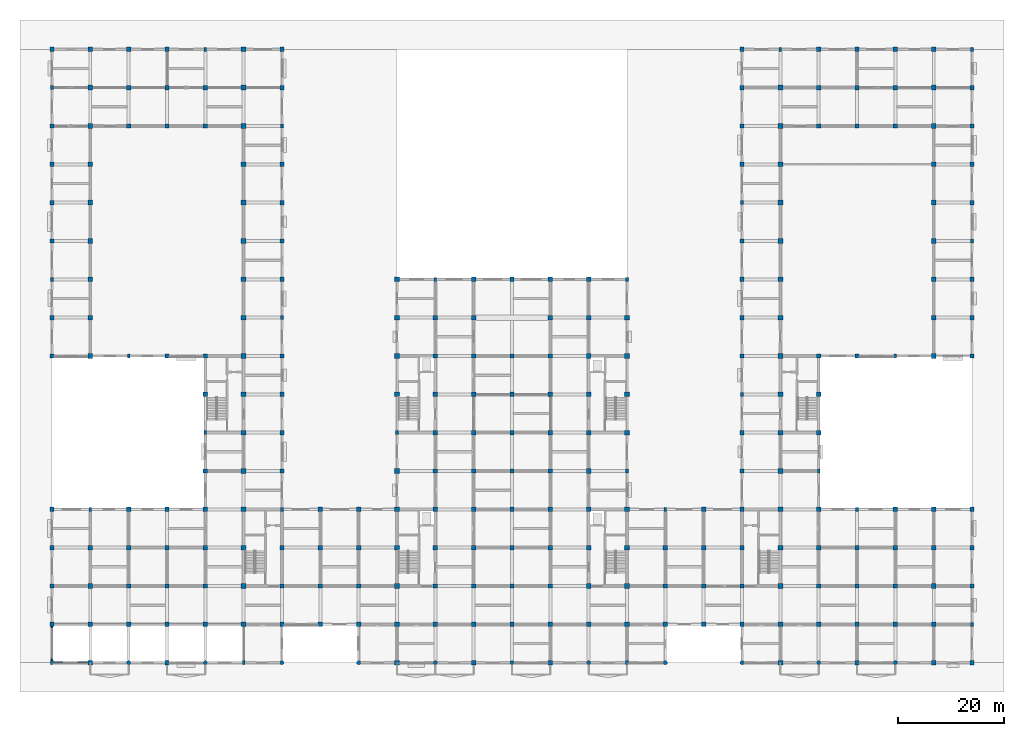
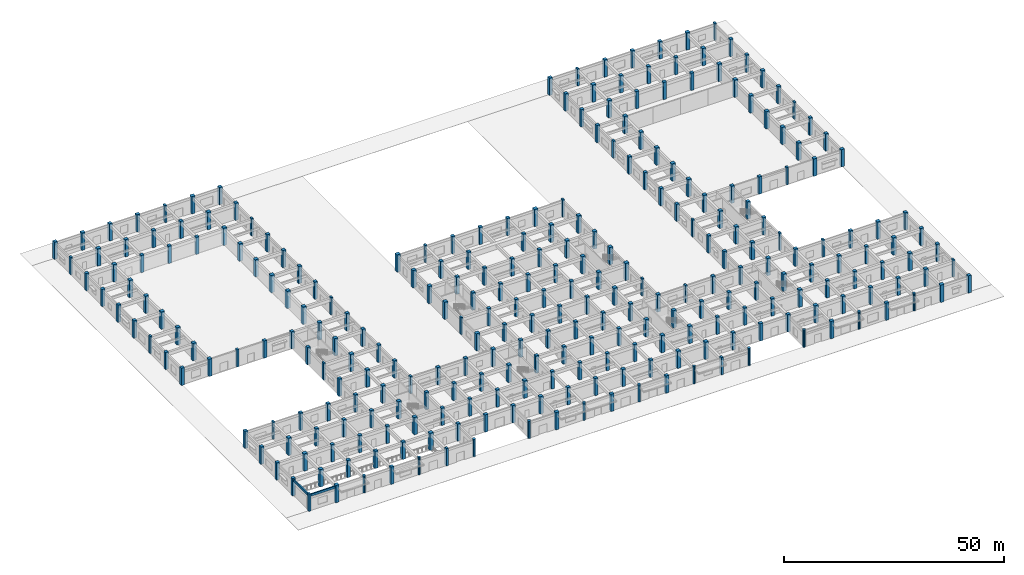
# One storey, part 1 of 37: 278 columns, 2 beams.
"""IFC4 building model written with IfcOpenShell, lengths in metres."""

from ifc_helpers import new_model, si_unit, direction, frame, origin, origin_2d, place, context, subcontext, project, spatial, rectangle, circle, extrude, material, material_profile, profile_set, type_object, element, save


model = new_model("IFC4")

# Units and contexts
model_context = context("Model", 3, precision=1e-05, world=origin(), true_north=direction((0.0, 1.0)))
body_context = subcontext(model_context, "Body", "Model", "MODEL_VIEW")
ifc_project = project(units=[si_unit("LENGTHUNIT", "METRE"), si_unit("AREAUNIT", "SQUARE_METRE"), si_unit("VOLUMEUNIT", "CUBIC_METRE"), si_unit("PLANEANGLEUNIT", "RADIAN"), si_unit("MASSUNIT", "GRAM", prefix="KILO")], contexts=[model_context])

# Site, building, storey
site_placement = place(None, origin())
site = spatial("IfcSite", under=ifc_project, at=site_placement, CompositionType="ELEMENT")
building_placement = place(site_placement, origin())
building = spatial("IfcBuilding", under=site, at=building_placement, Name="Cendaluz Park School", CompositionType="ELEMENT")
storey_placement = place(building_placement, origin())
storey = spatial("IfcBuildingStorey", under=building, at=storey_placement, Name="L00", CompositionType="ELEMENT", Elevation=0.0)

# Columns
ifc_material = material(Name="Concrete C40/50", Category="concrete")
ifc_material_profile_1 = material_profile(ifc_material, rectangle(XDim=0.5, YDim=0.75, at=origin_2d()), Name="RC 500x750", Category="concrete")
ifc_profile_set_1 = profile_set([ifc_material_profile_1], Name="Concrete C40/50")
column_type_1 = type_object("IfcColumnType", Name="C-PL01", PredefinedType="PILASTER", material=ifc_profile_set_1)
for number, where, z_axis, x_axis, name in (
    (1, (0.0, 0.0, 0.0), (0.0, 0.0, 1.0), (1.0, 0.0, 0.0), "C-L00-CPL01-001"),
    (2, (0.0, 72.0, 0.0), (0.0, 0.0, 1.0), (1.0, 0.0, 0.0), "C-L00-CPL01-008"),
    (3, (0.0, 108.0, 0.0), (0.0, 0.0, 1.0), (1.0, 0.0, 0.0), "C-L00-CPL01-013"),
    (4, (7.199951171875, 28.800048828125, 0.0), (0.0, 0.0, 1.0), (1.0, 0.0, 0.0), "C-L00-CPL01-019"),
    (5, (14.39990234375, 57.60009765625, 0.0), (0.0, 0.0, 1.0), (1.0, 0.0, 0.0), "C-L00-CPL01-034"),
    (6, (28.800048828125, 43.199951171875, 0.0), (0.0, 0.0, 1.0), (1.0, 0.0, 0.0), "C-L00-CPL01-053"),
    (7, (28.800048828125, 115.199951171875, 0.0), (0.0, 0.0, 1.0), (1.0, 0.0, 0.0), "C-L00-CPL01-058"),
    (8, (36.0, 0.0, 0.0), (0.0, 0.0, 1.0), (1.0, 0.0, 0.0), "C-L00-CPL01-059"),
    (9, (43.199951171875, 28.800048828125, 0.0), (0.0, 0.0, 1.0), (1.0, 0.0, 0.0), "C-L00-CPL01-080"),
    (10, (43.199951171875, 64.800048828125, 0.0), (0.0, 0.0, 1.0), (1.0, 0.0, 0.0), "C-L00-CPL01-085"),
    (11, (43.199951171875, 100.800048828125, 0.0), (0.0, 0.0, 1.0), (1.0, 0.0, 0.0), "C-L00-CPL01-090"),
    (12, (64.800048828125, 43.199951171875, 0.0), (0.0, 0.0, 1.0), (1.0, 0.0, 0.0), "C-L00-CPL01-108"),
    (13, (72.0, 72.0, 0.0), (0.0, 0.0, 1.0), (1.0, 0.0, 0.0), "C-L00-CPL01-123"),
    (14, (108.0, 0.0, 0.0), (0.0, 0.0, 1.0), (1.0, 0.0, 0.0), "C-L00-CPL01-167"),
    (15, (108.0, 36.0, 0.0), (0.0, 0.0, 1.0), (1.0, 0.0, 0.0), "C-L00-CPL01-172"),
    (16, (108.0, 72.0, 0.0), (0.0, 0.0, 1.0), (1.0, 0.0, 0.0), "C-L00-CPL01-177"),
    (17, (115.199951171875, 28.800048828125, 0.0), (0.0, 0.0, 1.0), (1.0, 0.0, 0.0), "C-L00-CPL01-182"),
    (18, (129.60009765625, 50.39990234375, 0.0), (0.0, 0.0, 1.0), (1.0, 0.0, 0.0), "C-L00-CPL01-194"),
    (19, (129.60009765625, 86.39990234375, 0.0), (0.0, 0.0, 1.0), (1.0, 0.0, 0.0), "C-L00-CPL01-199"),
    (20, (136.800048828125, 115.199951171875, 0.0), (0.0, 0.0, 1.0), (1.0, 0.0, 0.0), "C-L00-CPL01-220"),
    (21, (144.0, 36.0, 0.0), (0.0, 0.0, 1.0), (1.0, 0.0, 0.0), "C-L00-CPL01-226"),
    (22, (151.199951171875, 28.800048828125, 0.0), (0.0, 0.0, 1.0), (1.0, 0.0, 0.0), "C-L00-CPL01-237"),
    (23, (158.39990234375, 57.60009765625, 0.0), (0.0, 0.0, 1.0), (1.0, 0.0, 0.0), "C-L00-CPL01-247"),
    (24, (172.800048828125, 7.199951171875, 0.0), (0.0, 0.0, 1.0), (1.0, 0.0, 0.0), "C-L00-CPL01-266"),
    (25, (172.800048828125, 79.199951171875, 0.0), (0.0, 0.0, 1.0), (1.0, 0.0, 0.0), "C-L00-CPL01-273"),
    (26, (172.800048828125, 115.199951171875, 0.0), (0.0, 0.0, 1.0), (1.0, 0.0, 0.0), "C-L00-CPL01-278"),
):
    element("IfcColumn", number, at=place(storey_placement, frame(where, z_axis=z_axis, x_axis=x_axis)), inside=storey, type_object=column_type_1, Name=name, PredefinedType="PILASTER", context=body_context, shape_type="SweptSolid", body=[
        extrude(rectangle(XDim=0.5, YDim=0.75, at=origin_2d()), origin(), (0.0, 0.0, 1.0), 4.800048828125),
    ])
ifc_material_profile_2 = material_profile(ifc_material, rectangle(XDim=0.89990234375, YDim=0.89990234375, at=origin_2d()), Name="RC 900x900", Category="concrete")
ifc_profile_set_2 = profile_set([ifc_material_profile_2], Name="Concrete C40/50")
column_type_2 = type_object("IfcColumnType", Name="C-RC01", PredefinedType="COLUMN", material=ifc_profile_set_2)
for number, where, z_axis, x_axis, name in (
    (27, (7.199951171875, 0.0, 0.0), (0.0, 0.0, 1.0), (1.0, 0.0, 0.0), "C-L00-CRC01-015"),
    (28, (7.199951171875, 7.199951171875, 0.0), (0.0, 0.0, 1.0), (1.0, 0.0, 0.0), "C-L00-CRC01-016"),
    (29, (7.199951171875, 14.39990234375, 0.0), (0.0, 0.0, 1.0), (1.0, 0.0, 0.0), "C-L00-CRC01-017"),
    (30, (7.199951171875, 21.60009765625, 0.0), (0.0, 0.0, 1.0), (1.0, 0.0, 0.0), "C-L00-CRC01-018"),
    (31, (7.199951171875, 57.60009765625, 0.0), (0.0, 0.0, 1.0), (1.0, 0.0, 0.0), "C-L00-CRC01-020"),
    (32, (7.199951171875, 64.800048828125, 0.0), (0.0, 0.0, 1.0), (1.0, 0.0, 0.0), "C-L00-CRC01-021"),
    (33, (7.199951171875, 72.0, 0.0), (0.0, 0.0, 1.0), (1.0, 0.0, 0.0), "C-L00-CRC01-022"),
    (34, (7.199951171875, 79.199951171875, 0.0), (0.0, 0.0, 1.0), (1.0, 0.0, 0.0), "C-L00-CRC01-023"),
    (35, (7.199951171875, 86.39990234375, 0.0), (0.0, 0.0, 1.0), (1.0, 0.0, 0.0), "C-L00-CRC01-024"),
    (36, (7.199951171875, 93.60009765625, 0.0), (0.0, 0.0, 1.0), (1.0, 0.0, 0.0), "C-L00-CRC01-025"),
    (37, (7.199951171875, 100.800048828125, 0.0), (0.0, 0.0, 1.0), (1.0, 0.0, 0.0), "C-L00-CRC01-026"),
    (38, (7.199951171875, 108.0, 0.0), (0.0, 0.0, 1.0), (1.0, 0.0, 0.0), "C-L00-CRC01-027"),
    (39, (7.199951171875, 115.199951171875, 0.0), (0.0, 0.0, 1.0), (1.0, 0.0, 0.0), "C-L00-CRC01-028"),
    (40, (36.0, 7.199951171875, 0.0), (0.0, 0.0, 1.0), (1.0, 0.0, 0.0), "C-L00-CRC01-060"),
    (41, (36.0, 14.39990234375, 0.0), (0.0, 0.0, 1.0), (1.0, 0.0, 0.0), "C-L00-CRC01-061"),
    (42, (36.0, 21.60009765625, 0.0), (0.0, 0.0, 1.0), (1.0, 0.0, 0.0), "C-L00-CRC01-062"),
    (43, (36.0, 28.800048828125, 0.0), (0.0, 0.0, 1.0), (1.0, 0.0, 0.0), "C-L00-CRC01-063"),
    (44, (36.0, 36.0, 0.0), (0.0, 0.0, 1.0), (1.0, 0.0, 0.0), "C-L00-CRC01-064"),
    (45, (36.0, 43.199951171875, 0.0), (0.0, 0.0, 1.0), (1.0, 0.0, 0.0), "C-L00-CRC01-065"),
    (46, (36.0, 50.39990234375, 0.0), (0.0, 0.0, 1.0), (1.0, 0.0, 0.0), "C-L00-CRC01-066"),
    (47, (36.0, 57.60009765625, 0.0), (0.0, 0.0, 1.0), (1.0, 0.0, 0.0), "C-L00-CRC01-067"),
    (48, (36.0, 64.800048828125, 0.0), (0.0, 0.0, 1.0), (1.0, 0.0, 0.0), "C-L00-CRC01-068"),
    (49, (36.0, 72.0, 0.0), (0.0, 0.0, 1.0), (1.0, 0.0, 0.0), "C-L00-CRC01-069"),
    (50, (36.0, 79.199951171875, 0.0), (0.0, 0.0, 1.0), (1.0, 0.0, 0.0), "C-L00-CRC01-070"),
    (51, (36.0, 86.39990234375, 0.0), (0.0, 0.0, 1.0), (1.0, 0.0, 0.0), "C-L00-CRC01-071"),
    (52, (36.0, 93.60009765625, 0.0), (0.0, 0.0, 1.0), (1.0, 0.0, 0.0), "C-L00-CRC01-072"),
    (53, (36.0, 100.800048828125, 0.0), (0.0, 0.0, 1.0), (1.0, 0.0, 0.0), "C-L00-CRC01-073"),
    (54, (36.0, 108.0, 0.0), (0.0, 0.0, 1.0), (1.0, 0.0, 0.0), "C-L00-CRC01-074"),
    (55, (36.0, 115.199951171875, 0.0), (0.0, 0.0, 1.0), (1.0, 0.0, 0.0), "C-L00-CRC01-075"),
    (56, (64.800048828125, 0.0, 0.0), (0.0, 0.0, 1.0), (1.0, 0.0, 0.0), "C-L00-CRC01-102"),
    (57, (64.800048828125, 7.199951171875, 0.0), (0.0, 0.0, 1.0), (1.0, 0.0, 0.0), "C-L00-CRC01-103"),
    (58, (64.800048828125, 14.39990234375, 0.0), (0.0, 0.0, 1.0), (1.0, 0.0, 0.0), "C-L00-CRC01-104"),
    (59, (64.800048828125, 21.60009765625, 0.0), (0.0, 0.0, 1.0), (1.0, 0.0, 0.0), "C-L00-CRC01-105"),
    (60, (64.800048828125, 28.800048828125, 0.0), (0.0, 0.0, 1.0), (1.0, 0.0, 0.0), "C-L00-CRC01-106"),
    (61, (64.800048828125, 36.0, 0.0), (0.0, 0.0, 1.0), (1.0, 0.0, 0.0), "C-L00-CRC01-107"),
    (62, (64.800048828125, 50.39990234375, 0.0), (0.0, 0.0, 1.0), (1.0, 0.0, 0.0), "C-L00-CRC01-109"),
    (63, (64.800048828125, 57.60009765625, 0.0), (0.0, 0.0, 1.0), (1.0, 0.0, 0.0), "C-L00-CRC01-110"),
    (64, (64.800048828125, 64.800048828125, 0.0), (0.0, 0.0, 1.0), (1.0, 0.0, 0.0), "C-L00-CRC01-111"),
    (65, (64.800048828125, 72.0, 0.0), (0.0, 0.0, 1.0), (1.0, 0.0, 0.0), "C-L00-CRC01-112"),
    (66, (100.800048828125, 7.199951171875, 0.0), (0.0, 0.0, 1.0), (1.0, 0.0, 0.0), "C-L00-CRC01-157"),
    (67, (100.800048828125, 14.39990234375, 0.0), (0.0, 0.0, 1.0), (1.0, 0.0, 0.0), "C-L00-CRC01-158"),
    (68, (100.800048828125, 21.60009765625, 0.0), (0.0, 0.0, 1.0), (1.0, 0.0, 0.0), "C-L00-CRC01-159"),
    (69, (100.800048828125, 28.800048828125, 0.0), (0.0, 0.0, 1.0), (1.0, 0.0, 0.0), "C-L00-CRC01-160"),
    (70, (100.800048828125, 36.0, 0.0), (0.0, 0.0, 1.0), (1.0, 0.0, 0.0), "C-L00-CRC01-161"),
    (71, (100.800048828125, 43.199951171875, 0.0), (0.0, 0.0, 1.0), (1.0, 0.0, 0.0), "C-L00-CRC01-162"),
    (72, (100.800048828125, 50.39990234375, 0.0), (0.0, 0.0, 1.0), (1.0, 0.0, 0.0), "C-L00-CRC01-163"),
    (73, (100.800048828125, 57.60009765625, 0.0), (0.0, 0.0, 1.0), (1.0, 0.0, 0.0), "C-L00-CRC01-164"),
    (74, (100.800048828125, 64.800048828125, 0.0), (0.0, 0.0, 1.0), (1.0, 0.0, 0.0), "C-L00-CRC01-165"),
    (75, (100.800048828125, 72.0, 0.0), (0.0, 0.0, 1.0), (1.0, 0.0, 0.0), "C-L00-CRC01-166"),
    (76, (108.0, 7.199951171875, 0.0), (0.0, 0.0, 1.0), (1.0, 0.0, 0.0), "C-L00-CRC01-168"),
    (77, (108.0, 14.39990234375, 0.0), (0.0, 0.0, 1.0), (1.0, 0.0, 0.0), "C-L00-CRC01-169"),
    (78, (108.0, 21.60009765625, 0.0), (0.0, 0.0, 1.0), (1.0, 0.0, 0.0), "C-L00-CRC01-170"),
    (79, (108.0, 28.800048828125, 0.0), (0.0, 0.0, 1.0), (1.0, 0.0, 0.0), "C-L00-CRC01-171"),
    (80, (108.0, 43.199951171875, 0.0), (0.0, 0.0, 1.0), (1.0, 0.0, 0.0), "C-L00-CRC01-173"),
    (81, (108.0, 50.39990234375, 0.0), (0.0, 0.0, 1.0), (1.0, 0.0, 0.0), "C-L00-CRC01-174"),
    (82, (108.0, 57.60009765625, 0.0), (0.0, 0.0, 1.0), (1.0, 0.0, 0.0), "C-L00-CRC01-175"),
    (83, (108.0, 64.800048828125, 0.0), (0.0, 0.0, 1.0), (1.0, 0.0, 0.0), "C-L00-CRC01-176"),
    (84, (136.800048828125, 0.0, 0.0), (0.0, 0.0, 1.0), (1.0, 0.0, 0.0), "C-L00-CRC01-204"),
    (85, (136.800048828125, 7.199951171875, 0.0), (0.0, 0.0, 1.0), (1.0, 0.0, 0.0), "C-L00-CRC01-205"),
    (86, (136.800048828125, 14.39990234375, 0.0), (0.0, 0.0, 1.0), (1.0, 0.0, 0.0), "C-L00-CRC01-206"),
    (87, (136.800048828125, 21.60009765625, 0.0), (0.0, 0.0, 1.0), (1.0, 0.0, 0.0), "C-L00-CRC01-207"),
    (88, (136.800048828125, 28.800048828125, 0.0), (0.0, 0.0, 1.0), (1.0, 0.0, 0.0), "C-L00-CRC01-208"),
    (89, (136.800048828125, 36.0, 0.0), (0.0, 0.0, 1.0), (1.0, 0.0, 0.0), "C-L00-CRC01-209"),
    (90, (136.800048828125, 43.199951171875, 0.0), (0.0, 0.0, 1.0), (1.0, 0.0, 0.0), "C-L00-CRC01-210"),
    (91, (136.800048828125, 50.39990234375, 0.0), (0.0, 0.0, 1.0), (1.0, 0.0, 0.0), "C-L00-CRC01-211"),
    (92, (136.800048828125, 57.60009765625, 0.0), (0.0, 0.0, 1.0), (1.0, 0.0, 0.0), "C-L00-CRC01-212"),
    (93, (136.800048828125, 64.800048828125, 0.0), (0.0, 0.0, 1.0), (1.0, 0.0, 0.0), "C-L00-CRC01-213"),
    (94, (136.800048828125, 72.0, 0.0), (0.0, 0.0, 1.0), (1.0, 0.0, 0.0), "C-L00-CRC01-214"),
    (95, (136.800048828125, 79.199951171875, 0.0), (0.0, 0.0, 1.0), (1.0, 0.0, 0.0), "C-L00-CRC01-215"),
    (96, (136.800048828125, 86.39990234375, 0.0), (0.0, 0.0, 1.0), (1.0, 0.0, 0.0), "C-L00-CRC01-216"),
    (97, (136.800048828125, 93.60009765625, 0.0), (0.0, 0.0, 1.0), (1.0, 0.0, 0.0), "C-L00-CRC01-217"),
    (98, (136.800048828125, 100.800048828125, 0.0), (0.0, 0.0, 1.0), (1.0, 0.0, 0.0), "C-L00-CRC01-218"),
    (99, (136.800048828125, 108.0, 0.0), (0.0, 0.0, 1.0), (1.0, 0.0, 0.0), "C-L00-CRC01-219"),
    (100, (165.60009765625, 0.0, 0.0), (0.0, 0.0, 1.0), (1.0, 0.0, 0.0), "C-L00-CRC01-251"),
    (101, (165.60009765625, 7.199951171875, 0.0), (0.0, 0.0, 1.0), (1.0, 0.0, 0.0), "C-L00-CRC01-252"),
    (102, (165.60009765625, 14.39990234375, 0.0), (0.0, 0.0, 1.0), (1.0, 0.0, 0.0), "C-L00-CRC01-253"),
    (103, (165.60009765625, 21.60009765625, 0.0), (0.0, 0.0, 1.0), (1.0, 0.0, 0.0), "C-L00-CRC01-254"),
    (104, (165.60009765625, 28.800048828125, 0.0), (0.0, 0.0, 1.0), (1.0, 0.0, 0.0), "C-L00-CRC01-255"),
    (105, (165.60009765625, 57.60009765625, 0.0), (0.0, 0.0, 1.0), (1.0, 0.0, 0.0), "C-L00-CRC01-256"),
    (106, (165.60009765625, 64.800048828125, 0.0), (0.0, 0.0, 1.0), (1.0, 0.0, 0.0), "C-L00-CRC01-257"),
    (107, (165.60009765625, 72.0, 0.0), (0.0, 0.0, 1.0), (1.0, 0.0, 0.0), "C-L00-CRC01-258"),
    (108, (165.60009765625, 79.199951171875, 0.0), (0.0, 0.0, 1.0), (1.0, 0.0, 0.0), "C-L00-CRC01-259"),
    (109, (165.60009765625, 86.39990234375, 0.0), (0.0, 0.0, 1.0), (1.0, 0.0, 0.0), "C-L00-CRC01-260"),
    (110, (165.60009765625, 93.60009765625, 0.0), (0.0, 0.0, 1.0), (1.0, 0.0, 0.0), "C-L00-CRC01-261"),
    (111, (165.60009765625, 100.800048828125, 0.0), (0.0, 0.0, 1.0), (1.0, 0.0, 0.0), "C-L00-CRC01-262"),
    (112, (165.60009765625, 108.0, 0.0), (0.0, 0.0, 1.0), (1.0, 0.0, 0.0), "C-L00-CRC01-263"),
    (113, (165.60009765625, 115.199951171875, 0.0), (0.0, 0.0, 1.0), (1.0, 0.0, 0.0), "C-L00-CRC01-264"),
):
    element("IfcColumn", number, at=place(storey_placement, frame(where, z_axis=z_axis, x_axis=x_axis)), inside=storey, type_object=column_type_2, Name=name, PredefinedType="COLUMN", context=body_context, shape_type="SweptSolid", body=[
        extrude(rectangle(XDim=0.89990234375, YDim=0.89990234375, at=origin_2d()), origin(), (0.0, 0.0, 1.0), 4.800048828125),
    ])
ifc_material_profile_3 = material_profile(ifc_material, rectangle(XDim=0.800048828125, YDim=0.800048828125, at=origin_2d()), Name="RC 800x800", Category="concrete")
ifc_profile_set_3 = profile_set([ifc_material_profile_3], Name="Concrete C40/50")
column_type_3 = type_object("IfcColumnType", Name="C-RC02", PredefinedType="COLUMN", material=ifc_profile_set_3)
for number, where, z_axis, x_axis, name in (
    (114, (0.0, 7.199951171875, 0.0), (0.0, 0.0, 1.0), (1.0, 0.0, 0.0), "C-L00-CRC02-002"),
    (115, (0.0, 14.39990234375, 0.0), (0.0, 0.0, 1.0), (1.0, 0.0, 0.0), "C-L00-CRC02-003"),
    (116, (0.0, 21.60009765625, 0.0), (0.0, 0.0, 1.0), (1.0, 0.0, 0.0), "C-L00-CRC02-004"),
    (117, (0.0, 28.800048828125, 0.0), (0.0, 0.0, 1.0), (1.0, 0.0, 0.0), "C-L00-CRC02-005"),
    (118, (0.0, 57.60009765625, 0.0), (0.0, 0.0, 1.0), (1.0, 0.0, 0.0), "C-L00-CRC02-006"),
    (119, (0.0, 64.800048828125, 0.0), (0.0, 0.0, 1.0), (1.0, 0.0, 0.0), "C-L00-CRC02-007"),
    (120, (0.0, 79.199951171875, 0.0), (0.0, 0.0, 1.0), (1.0, 0.0, 0.0), "C-L00-CRC02-009"),
    (121, (0.0, 86.39990234375, 0.0), (0.0, 0.0, 1.0), (1.0, 0.0, 0.0), "C-L00-CRC02-010"),
    (122, (0.0, 93.60009765625, 0.0), (0.0, 0.0, 1.0), (1.0, 0.0, 0.0), "C-L00-CRC02-011"),
    (123, (0.0, 100.800048828125, 0.0), (0.0, 0.0, 1.0), (1.0, 0.0, 0.0), "C-L00-CRC02-012"),
    (124, (0.0, 115.199951171875, 0.0), (0.0, 0.0, 1.0), (1.0, 0.0, 0.0), "C-L00-CRC02-014"),
    (125, (14.39990234375, 7.199951171875, 0.0), (0.0, 0.0, 1.0), (1.0, 0.0, 0.0), "C-L00-CRC02-030"),
    (126, (14.39990234375, 14.39990234375, 0.0), (0.0, 0.0, 1.0), (1.0, 0.0, 0.0), "C-L00-CRC02-031"),
    (127, (14.39990234375, 21.60009765625, 0.0), (0.0, 0.0, 1.0), (1.0, 0.0, 0.0), "C-L00-CRC02-032"),
    (128, (14.39990234375, 28.800048828125, 0.0), (0.0, 0.0, 1.0), (1.0, 0.0, 0.0), "C-L00-CRC02-033"),
    (129, (14.39990234375, 100.800048828125, 0.0), (0.0, 0.0, 1.0), (1.0, 0.0, 0.0), "C-L00-CRC02-035"),
    (130, (14.39990234375, 108.0, 0.0), (0.0, 0.0, 1.0), (1.0, 0.0, 0.0), "C-L00-CRC02-036"),
    (131, (14.39990234375, 115.199951171875, 0.0), (0.0, 0.0, 1.0), (1.0, 0.0, 0.0), "C-L00-CRC02-037"),
    (132, (21.60009765625, 0.0, 0.0), (0.0, 0.0, 1.0), (1.0, 0.0, 0.0), "C-L00-CRC02-038"),
    (133, (21.60009765625, 7.199951171875, 0.0), (0.0, 0.0, 1.0), (1.0, 0.0, 0.0), "C-L00-CRC02-039"),
    (134, (21.60009765625, 14.39990234375, 0.0), (0.0, 0.0, 1.0), (1.0, 0.0, 0.0), "C-L00-CRC02-040"),
    (135, (21.60009765625, 21.60009765625, 0.0), (0.0, 0.0, 1.0), (1.0, 0.0, 0.0), "C-L00-CRC02-041"),
    (136, (21.60009765625, 28.800048828125, 0.0), (0.0, 0.0, 1.0), (1.0, 0.0, 0.0), "C-L00-CRC02-042"),
    (137, (21.60009765625, 57.60009765625, 0.0), (0.0, 0.0, 1.0), (1.0, 0.0, 0.0), "C-L00-CRC02-043"),
    (138, (21.60009765625, 100.800048828125, 0.0), (0.0, 0.0, 1.0), (1.0, 0.0, 0.0), "C-L00-CRC02-044"),
    (139, (21.60009765625, 108.0, 0.0), (0.0, 0.0, 1.0), (1.0, 0.0, 0.0), "C-L00-CRC02-045"),
    (140, (21.60009765625, 115.199951171875, 0.0), (0.0, 0.0, 1.0), (1.0, 0.0, 0.0), "C-L00-CRC02-046"),
    (141, (28.800048828125, 7.199951171875, 0.0), (0.0, 0.0, 1.0), (1.0, 0.0, 0.0), "C-L00-CRC02-048"),
    (142, (28.800048828125, 14.39990234375, 0.0), (0.0, 0.0, 1.0), (1.0, 0.0, 0.0), "C-L00-CRC02-049"),
    (143, (28.800048828125, 21.60009765625, 0.0), (0.0, 0.0, 1.0), (1.0, 0.0, 0.0), "C-L00-CRC02-050"),
    (144, (28.800048828125, 28.800048828125, 0.0), (0.0, 0.0, 1.0), (1.0, 0.0, 0.0), "C-L00-CRC02-051"),
    (145, (28.800048828125, 36.0, 0.0), (0.0, 0.0, 1.0), (1.0, 0.0, 0.0), "C-L00-CRC02-052"),
    (146, (28.800048828125, 50.39990234375, 0.0), (0.0, 0.0, 1.0), (1.0, 0.0, 0.0), "C-L00-CRC02-054"),
    (147, (28.800048828125, 57.60009765625, 0.0), (0.0, 0.0, 1.0), (1.0, 0.0, 0.0), "C-L00-CRC02-055"),
    (148, (28.800048828125, 100.800048828125, 0.0), (0.0, 0.0, 1.0), (1.0, 0.0, 0.0), "C-L00-CRC02-056"),
    (149, (28.800048828125, 108.0, 0.0), (0.0, 0.0, 1.0), (1.0, 0.0, 0.0), "C-L00-CRC02-057"),
    (150, (43.199951171875, 7.199951171875, 0.0), (0.0, 0.0, 1.0), (1.0, 0.0, 0.0), "C-L00-CRC02-077"),
    (151, (43.199951171875, 14.39990234375, 0.0), (0.0, 0.0, 1.0), (1.0, 0.0, 0.0), "C-L00-CRC02-078"),
    (152, (43.199951171875, 21.60009765625, 0.0), (0.0, 0.0, 1.0), (1.0, 0.0, 0.0), "C-L00-CRC02-079"),
    (153, (43.199951171875, 36.0, 0.0), (0.0, 0.0, 1.0), (1.0, 0.0, 0.0), "C-L00-CRC02-081"),
    (154, (43.199951171875, 43.199951171875, 0.0), (0.0, 0.0, 1.0), (1.0, 0.0, 0.0), "C-L00-CRC02-082"),
    (155, (43.199951171875, 50.39990234375, 0.0), (0.0, 0.0, 1.0), (1.0, 0.0, 0.0), "C-L00-CRC02-083"),
    (156, (43.199951171875, 57.60009765625, 0.0), (0.0, 0.0, 1.0), (1.0, 0.0, 0.0), "C-L00-CRC02-084"),
    (157, (43.199951171875, 72.0, 0.0), (0.0, 0.0, 1.0), (1.0, 0.0, 0.0), "C-L00-CRC02-086"),
    (158, (43.199951171875, 79.199951171875, 0.0), (0.0, 0.0, 1.0), (1.0, 0.0, 0.0), "C-L00-CRC02-087"),
    (159, (43.199951171875, 86.39990234375, 0.0), (0.0, 0.0, 1.0), (1.0, 0.0, 0.0), "C-L00-CRC02-088"),
    (160, (43.199951171875, 93.60009765625, 0.0), (0.0, 0.0, 1.0), (1.0, 0.0, 0.0), "C-L00-CRC02-089"),
    (161, (43.199951171875, 108.0, 0.0), (0.0, 0.0, 1.0), (1.0, 0.0, 0.0), "C-L00-CRC02-091"),
    (162, (43.199951171875, 115.199951171875, 0.0), (0.0, 0.0, 1.0), (1.0, 0.0, 0.0), "C-L00-CRC02-092"),
    (163, (50.39990234375, 7.199951171875, 0.0), (0.0, 0.0, 1.0), (1.0, 0.0, 0.0), "C-L00-CRC02-093"),
    (164, (50.39990234375, 14.39990234375, 0.0), (0.0, 0.0, 1.0), (1.0, 0.0, 0.0), "C-L00-CRC02-094"),
    (165, (50.39990234375, 21.60009765625, 0.0), (0.0, 0.0, 1.0), (1.0, 0.0, 0.0), "C-L00-CRC02-095"),
    (166, (50.39990234375, 28.800048828125, 0.0), (0.0, 0.0, 1.0), (1.0, 0.0, 0.0), "C-L00-CRC02-096"),
    (167, (57.60009765625, 7.199951171875, 0.0), (0.0, 0.0, 1.0), (1.0, 0.0, 0.0), "C-L00-CRC02-098"),
    (168, (57.60009765625, 14.39990234375, 0.0), (0.0, 0.0, 1.0), (1.0, 0.0, 0.0), "C-L00-CRC02-099"),
    (169, (57.60009765625, 21.60009765625, 0.0), (0.0, 0.0, 1.0), (1.0, 0.0, 0.0), "C-L00-CRC02-100"),
    (170, (57.60009765625, 28.800048828125, 0.0), (0.0, 0.0, 1.0), (1.0, 0.0, 0.0), "C-L00-CRC02-101"),
    (171, (72.0, 7.199951171875, 0.0), (0.0, 0.0, 1.0), (1.0, 0.0, 0.0), "C-L00-CRC02-114"),
    (172, (72.0, 14.39990234375, 0.0), (0.0, 0.0, 1.0), (1.0, 0.0, 0.0), "C-L00-CRC02-115"),
    (173, (72.0, 21.60009765625, 0.0), (0.0, 0.0, 1.0), (1.0, 0.0, 0.0), "C-L00-CRC02-116"),
    (174, (72.0, 28.800048828125, 0.0), (0.0, 0.0, 1.0), (1.0, 0.0, 0.0), "C-L00-CRC02-117"),
    (175, (72.0, 36.0, 0.0), (0.0, 0.0, 1.0), (1.0, 0.0, 0.0), "C-L00-CRC02-118"),
    (176, (72.0, 43.199951171875, 0.0), (0.0, 0.0, 1.0), (1.0, 0.0, 0.0), "C-L00-CRC02-119"),
    (177, (72.0, 50.39990234375, 0.0), (0.0, 0.0, 1.0), (1.0, 0.0, 0.0), "C-L00-CRC02-120"),
    (178, (72.0, 57.60009765625, 0.0), (0.0, 0.0, 1.0), (1.0, 0.0, 0.0), "C-L00-CRC02-121"),
    (179, (72.0, 64.800048828125, 0.0), (0.0, 0.0, 1.0), (1.0, 0.0, 0.0), "C-L00-CRC02-122"),
    (180, (79.199951171875, 0.0, 0.0), (0.0, 0.0, 1.0), (1.0, 0.0, 0.0), "C-L00-CRC02-124"),
    (181, (79.199951171875, 7.199951171875, 0.0), (0.0, 0.0, 1.0), (1.0, 0.0, 0.0), "C-L00-CRC02-125"),
    (182, (79.199951171875, 14.39990234375, 0.0), (0.0, 0.0, 1.0), (1.0, 0.0, 0.0), "C-L00-CRC02-126"),
    (183, (79.199951171875, 21.60009765625, 0.0), (0.0, 0.0, 1.0), (1.0, 0.0, 0.0), "C-L00-CRC02-127"),
    (184, (79.199951171875, 28.800048828125, 0.0), (0.0, 0.0, 1.0), (1.0, 0.0, 0.0), "C-L00-CRC02-128"),
    (185, (79.199951171875, 36.0, 0.0), (0.0, 0.0, 1.0), (1.0, 0.0, 0.0), "C-L00-CRC02-129"),
    (186, (79.199951171875, 43.199951171875, 0.0), (0.0, 0.0, 1.0), (1.0, 0.0, 0.0), "C-L00-CRC02-130"),
    (187, (79.199951171875, 50.39990234375, 0.0), (0.0, 0.0, 1.0), (1.0, 0.0, 0.0), "C-L00-CRC02-131"),
    (188, (79.199951171875, 57.60009765625, 0.0), (0.0, 0.0, 1.0), (1.0, 0.0, 0.0), "C-L00-CRC02-132"),
    (189, (79.199951171875, 64.800048828125, 0.0), (0.0, 0.0, 1.0), (1.0, 0.0, 0.0), "C-L00-CRC02-133"),
    (190, (79.199951171875, 72.0, 0.0), (0.0, 0.0, 1.0), (1.0, 0.0, 0.0), "C-L00-CRC02-134"),
    (191, (86.39990234375, 7.199951171875, 0.0), (0.0, 0.0, 1.0), (1.0, 0.0, 0.0), "C-L00-CRC02-136"),
    (192, (86.39990234375, 14.39990234375, 0.0), (0.0, 0.0, 1.0), (1.0, 0.0, 0.0), "C-L00-CRC02-137"),
    (193, (86.39990234375, 21.60009765625, 0.0), (0.0, 0.0, 1.0), (1.0, 0.0, 0.0), "C-L00-CRC02-138"),
    (194, (86.39990234375, 28.800048828125, 0.0), (0.0, 0.0, 1.0), (1.0, 0.0, 0.0), "C-L00-CRC02-139"),
    (195, (86.39990234375, 36.0, 0.0), (0.0, 0.0, 1.0), (1.0, 0.0, 0.0), "C-L00-CRC02-140"),
    (196, (86.39990234375, 43.199951171875, 0.0), (0.0, 0.0, 1.0), (1.0, 0.0, 0.0), "C-L00-CRC02-141"),
    (197, (86.39990234375, 50.39990234375, 0.0), (0.0, 0.0, 1.0), (1.0, 0.0, 0.0), "C-L00-CRC02-142"),
    (198, (86.39990234375, 57.60009765625, 0.0), (0.0, 0.0, 1.0), (1.0, 0.0, 0.0), "C-L00-CRC02-143"),
    (199, (86.39990234375, 72.0, 0.0), (0.0, 0.0, 1.0), (1.0, 0.0, 0.0), "C-L00-CRC02-144"),
    (200, (93.60009765625, 0.0, 0.0), (0.0, 0.0, 1.0), (1.0, 0.0, 0.0), "C-L00-CRC02-145"),
    (201, (93.60009765625, 7.199951171875, 0.0), (0.0, 0.0, 1.0), (1.0, 0.0, 0.0), "C-L00-CRC02-146"),
    (202, (93.60009765625, 14.39990234375, 0.0), (0.0, 0.0, 1.0), (1.0, 0.0, 0.0), "C-L00-CRC02-147"),
    (203, (93.60009765625, 21.60009765625, 0.0), (0.0, 0.0, 1.0), (1.0, 0.0, 0.0), "C-L00-CRC02-148"),
    (204, (93.60009765625, 28.800048828125, 0.0), (0.0, 0.0, 1.0), (1.0, 0.0, 0.0), "C-L00-CRC02-149"),
    (205, (93.60009765625, 36.0, 0.0), (0.0, 0.0, 1.0), (1.0, 0.0, 0.0), "C-L00-CRC02-150"),
    (206, (93.60009765625, 43.199951171875, 0.0), (0.0, 0.0, 1.0), (1.0, 0.0, 0.0), "C-L00-CRC02-151"),
    (207, (93.60009765625, 50.39990234375, 0.0), (0.0, 0.0, 1.0), (1.0, 0.0, 0.0), "C-L00-CRC02-152"),
    (208, (93.60009765625, 57.60009765625, 0.0), (0.0, 0.0, 1.0), (1.0, 0.0, 0.0), "C-L00-CRC02-153"),
    (209, (93.60009765625, 64.800048828125, 0.0), (0.0, 0.0, 1.0), (1.0, 0.0, 0.0), "C-L00-CRC02-154"),
    (210, (93.60009765625, 72.0, 0.0), (0.0, 0.0, 1.0), (1.0, 0.0, 0.0), "C-L00-CRC02-155"),
    (211, (115.199951171875, 7.199951171875, 0.0), (0.0, 0.0, 1.0), (1.0, 0.0, 0.0), "C-L00-CRC02-179"),
    (212, (115.199951171875, 14.39990234375, 0.0), (0.0, 0.0, 1.0), (1.0, 0.0, 0.0), "C-L00-CRC02-180"),
    (213, (115.199951171875, 21.60009765625, 0.0), (0.0, 0.0, 1.0), (1.0, 0.0, 0.0), "C-L00-CRC02-181"),
    (214, (122.39990234375, 7.199951171875, 0.0), (0.0, 0.0, 1.0), (1.0, 0.0, 0.0), "C-L00-CRC02-183"),
    (215, (122.39990234375, 14.39990234375, 0.0), (0.0, 0.0, 1.0), (1.0, 0.0, 0.0), "C-L00-CRC02-184"),
    (216, (122.39990234375, 21.60009765625, 0.0), (0.0, 0.0, 1.0), (1.0, 0.0, 0.0), "C-L00-CRC02-185"),
    (217, (122.39990234375, 28.800048828125, 0.0), (0.0, 0.0, 1.0), (1.0, 0.0, 0.0), "C-L00-CRC02-186"),
    (218, (129.60009765625, 7.199951171875, 0.0), (0.0, 0.0, 1.0), (1.0, 0.0, 0.0), "C-L00-CRC02-188"),
    (219, (129.60009765625, 14.39990234375, 0.0), (0.0, 0.0, 1.0), (1.0, 0.0, 0.0), "C-L00-CRC02-189"),
    (220, (129.60009765625, 21.60009765625, 0.0), (0.0, 0.0, 1.0), (1.0, 0.0, 0.0), "C-L00-CRC02-190"),
    (221, (129.60009765625, 28.800048828125, 0.0), (0.0, 0.0, 1.0), (1.0, 0.0, 0.0), "C-L00-CRC02-191"),
    (222, (129.60009765625, 36.0, 0.0), (0.0, 0.0, 1.0), (1.0, 0.0, 0.0), "C-L00-CRC02-192"),
    (223, (129.60009765625, 43.199951171875, 0.0), (0.0, 0.0, 1.0), (1.0, 0.0, 0.0), "C-L00-CRC02-193"),
    (224, (129.60009765625, 57.60009765625, 0.0), (0.0, 0.0, 1.0), (1.0, 0.0, 0.0), "C-L00-CRC02-195"),
    (225, (129.60009765625, 64.800048828125, 0.0), (0.0, 0.0, 1.0), (1.0, 0.0, 0.0), "C-L00-CRC02-196"),
    (226, (129.60009765625, 72.0, 0.0), (0.0, 0.0, 1.0), (1.0, 0.0, 0.0), "C-L00-CRC02-197"),
    (227, (129.60009765625, 79.199951171875, 0.0), (0.0, 0.0, 1.0), (1.0, 0.0, 0.0), "C-L00-CRC02-198"),
    (228, (129.60009765625, 93.60009765625, 0.0), (0.0, 0.0, 1.0), (1.0, 0.0, 0.0), "C-L00-CRC02-200"),
    (229, (129.60009765625, 100.800048828125, 0.0), (0.0, 0.0, 1.0), (1.0, 0.0, 0.0), "C-L00-CRC02-201"),
    (230, (129.60009765625, 108.0, 0.0), (0.0, 0.0, 1.0), (1.0, 0.0, 0.0), "C-L00-CRC02-202"),
    (231, (129.60009765625, 115.199951171875, 0.0), (0.0, 0.0, 1.0), (1.0, 0.0, 0.0), "C-L00-CRC02-203"),
    (232, (144.0, 7.199951171875, 0.0), (0.0, 0.0, 1.0), (1.0, 0.0, 0.0), "C-L00-CRC02-222"),
    (233, (144.0, 14.39990234375, 0.0), (0.0, 0.0, 1.0), (1.0, 0.0, 0.0), "C-L00-CRC02-223"),
    (234, (144.0, 21.60009765625, 0.0), (0.0, 0.0, 1.0), (1.0, 0.0, 0.0), "C-L00-CRC02-224"),
    (235, (144.0, 28.800048828125, 0.0), (0.0, 0.0, 1.0), (1.0, 0.0, 0.0), "C-L00-CRC02-225"),
    (236, (144.0, 43.199951171875, 0.0), (0.0, 0.0, 1.0), (1.0, 0.0, 0.0), "C-L00-CRC02-227"),
    (237, (144.0, 50.39990234375, 0.0), (0.0, 0.0, 1.0), (1.0, 0.0, 0.0), "C-L00-CRC02-228"),
    (238, (144.0, 57.60009765625, 0.0), (0.0, 0.0, 1.0), (1.0, 0.0, 0.0), "C-L00-CRC02-229"),
    (239, (144.0, 100.800048828125, 0.0), (0.0, 0.0, 1.0), (1.0, 0.0, 0.0), "C-L00-CRC02-230"),
    (240, (144.0, 108.0, 0.0), (0.0, 0.0, 1.0), (1.0, 0.0, 0.0), "C-L00-CRC02-231"),
    (241, (144.0, 115.199951171875, 0.0), (0.0, 0.0, 1.0), (1.0, 0.0, 0.0), "C-L00-CRC02-232"),
    (242, (151.199951171875, 0.0, 0.0), (0.0, 0.0, 1.0), (1.0, 0.0, 0.0), "C-L00-CRC02-233"),
    (243, (151.199951171875, 7.199951171875, 0.0), (0.0, 0.0, 1.0), (1.0, 0.0, 0.0), "C-L00-CRC02-234"),
    (244, (151.199951171875, 14.39990234375, 0.0), (0.0, 0.0, 1.0), (1.0, 0.0, 0.0), "C-L00-CRC02-235"),
    (245, (151.199951171875, 21.60009765625, 0.0), (0.0, 0.0, 1.0), (1.0, 0.0, 0.0), "C-L00-CRC02-236"),
    (246, (151.199951171875, 57.60009765625, 0.0), (0.0, 0.0, 1.0), (1.0, 0.0, 0.0), "C-L00-CRC02-238"),
    (247, (151.199951171875, 100.800048828125, 0.0), (0.0, 0.0, 1.0), (1.0, 0.0, 0.0), "C-L00-CRC02-239"),
    (248, (151.199951171875, 108.0, 0.0), (0.0, 0.0, 1.0), (1.0, 0.0, 0.0), "C-L00-CRC02-240"),
    (249, (151.199951171875, 115.199951171875, 0.0), (0.0, 0.0, 1.0), (1.0, 0.0, 0.0), "C-L00-CRC02-241"),
    (250, (158.39990234375, 7.199951171875, 0.0), (0.0, 0.0, 1.0), (1.0, 0.0, 0.0), "C-L00-CRC02-243"),
    (251, (158.39990234375, 14.39990234375, 0.0), (0.0, 0.0, 1.0), (1.0, 0.0, 0.0), "C-L00-CRC02-244"),
    (252, (158.39990234375, 21.60009765625, 0.0), (0.0, 0.0, 1.0), (1.0, 0.0, 0.0), "C-L00-CRC02-245"),
    (253, (158.39990234375, 28.800048828125, 0.0), (0.0, 0.0, 1.0), (1.0, 0.0, 0.0), "C-L00-CRC02-246"),
    (254, (158.39990234375, 100.800048828125, 0.0), (0.0, 0.0, 1.0), (1.0, 0.0, 0.0), "C-L00-CRC02-248"),
    (255, (158.39990234375, 108.0, 0.0), (0.0, 0.0, 1.0), (1.0, 0.0, 0.0), "C-L00-CRC02-249"),
    (256, (158.39990234375, 115.199951171875, 0.0), (0.0, 0.0, 1.0), (1.0, 0.0, 0.0), "C-L00-CRC02-250"),
    (257, (172.800048828125, 0.0, 0.0), (0.0, 0.0, 1.0), (1.0, 0.0, 0.0), "C-L00-CRC02-265"),
    (258, (172.800048828125, 14.39990234375, 0.0), (0.0, 0.0, 1.0), (1.0, 0.0, 0.0), "C-L00-CRC02-267"),
    (259, (172.800048828125, 21.60009765625, 0.0), (0.0, 0.0, 1.0), (1.0, 0.0, 0.0), "C-L00-CRC02-268"),
    (260, (172.800048828125, 28.800048828125, 0.0), (0.0, 0.0, 1.0), (1.0, 0.0, 0.0), "C-L00-CRC02-269"),
    (261, (172.800048828125, 57.60009765625, 0.0), (0.0, 0.0, 1.0), (1.0, 0.0, 0.0), "C-L00-CRC02-270"),
    (262, (172.800048828125, 64.800048828125, 0.0), (0.0, 0.0, 1.0), (1.0, 0.0, 0.0), "C-L00-CRC02-271"),
    (263, (172.800048828125, 72.0, 0.0), (0.0, 0.0, 1.0), (1.0, 0.0, 0.0), "C-L00-CRC02-272"),
    (264, (172.800048828125, 86.39990234375, 0.0), (0.0, 0.0, 1.0), (1.0, 0.0, 0.0), "C-L00-CRC02-274"),
    (265, (172.800048828125, 93.60009765625, 0.0), (0.0, 0.0, 1.0), (1.0, 0.0, 0.0), "C-L00-CRC02-275"),
    (266, (172.800048828125, 100.800048828125, 0.0), (0.0, 0.0, 1.0), (1.0, 0.0, 0.0), "C-L00-CRC02-276"),
    (267, (172.800048828125, 108.0, 0.0), (0.0, 0.0, 1.0), (1.0, 0.0, 0.0), "C-L00-CRC02-277"),
):
    element("IfcColumn", number, at=place(storey_placement, frame(where, z_axis=z_axis, x_axis=x_axis)), inside=storey, type_object=column_type_3, Name=name, PredefinedType="COLUMN", context=body_context, shape_type="SweptSolid", body=[
        extrude(rectangle(XDim=0.800048828125, YDim=0.800048828125, at=origin_2d()), origin(), (0.0, 0.0, 1.0), 4.800048828125),
    ])
ifc_material_profile_4 = material_profile(ifc_material, circle(Radius=0.375, at=origin_2d()), Name="RC D750", Category="concrete")
ifc_profile_set_4 = profile_set([ifc_material_profile_4], Name="Concrete C40/50")
column_type_4 = type_object("IfcColumnType", Name="C-RC06", PredefinedType="COLUMN", material=ifc_profile_set_4)
for number, where, z_axis, x_axis, name in (
    (268, (14.39990234375, 0.0, 0.0), (0.0, 0.0, 1.0), (1.0, 0.0, 0.0), "C-L00-CRC06-029"),
    (269, (28.800048828125, 0.0, 0.0), (0.0, 0.0, 1.0), (1.0, 0.0, 0.0), "C-L00-CRC06-047"),
    (270, (43.199951171875, 0.0, 0.0), (0.0, 0.0, 1.0), (1.0, 0.0, 0.0), "C-L00-CRC06-076"),
    (271, (57.60009765625, 0.0, 0.0), (0.0, 0.0, 1.0), (1.0, 0.0, 0.0), "C-L00-CRC06-097"),
    (272, (72.0, 0.0, 0.0), (0.0, 0.0, 1.0), (1.0, 0.0, 0.0), "C-L00-CRC06-113"),
    (273, (86.39990234375, 0.0, 0.0), (0.0, 0.0, 1.0), (1.0, 0.0, 0.0), "C-L00-CRC06-135"),
    (274, (100.800048828125, 0.0, 0.0), (0.0, 0.0, 1.0), (1.0, 0.0, 0.0), "C-L00-CRC06-156"),
    (275, (115.199951171875, 0.0, 0.0), (0.0, 0.0, 1.0), (1.0, 0.0, 0.0), "C-L00-CRC06-178"),
    (276, (129.60009765625, 0.0, 0.0), (0.0, 0.0, 1.0), (1.0, 0.0, 0.0), "C-L00-CRC06-187"),
    (277, (144.0, 0.0, 0.0), (0.0, 0.0, 1.0), (1.0, 0.0, 0.0), "C-L00-CRC06-221"),
    (278, (158.39990234375, 0.0, 0.0), (0.0, 0.0, 1.0), (1.0, 0.0, 0.0), "C-L00-CRC06-242"),
):
    element("IfcColumn", number, at=place(storey_placement, frame(where, z_axis=z_axis, x_axis=x_axis)), inside=storey, type_object=column_type_4, Name=name, PredefinedType="COLUMN", context=body_context, shape_type="SweptSolid", body=[
        extrude(circle(Radius=0.375, at=origin_2d()), origin(), (0.0, 0.0, 1.0), 4.800048828125),
    ])

# Beams
ifc_material_profile_5 = material_profile(ifc_material, rectangle(XDim=0.35009765625, YDim=0.580078125, at=origin_2d()), Name="RC 350x580", Category="concrete")
ifc_profile_set_5 = profile_set([ifc_material_profile_5], Name="Concrete C40/50")
beam_type = type_object("IfcBeamType", Name="BM-RC04", PredefinedType="LINTEL", material=ifc_profile_set_5)
beam_1_placement = place(storey_placement, frame((0.25, 0.0, 4.179931640625), z_axis=(1.0, 0.0, 0.0), x_axis=(0.0, 1.0, 0.0)))
element("IfcBeam", 279, at=beam_1_placement, inside=storey, type_object=beam_type, Name="BM-L00-BMRC04-0001", PredefinedType="LINTEL", context=body_context, shape_type="SweptSolid", body=[
    extrude(rectangle(XDim=0.35009765625, YDim=0.580078125, at=origin_2d()), origin(), (0.0, 0.0, 1.0), 6.5),
])
beam_2_placement = place(storey_placement, frame((0.0, 0.375, 4.179931640625), z_axis=(0.0, 1.0, 0.0), x_axis=(-1.0, 0.0, 0.0)))
element("IfcBeam", 280, at=beam_2_placement, inside=storey, type_object=beam_type, Name="BM-L00-BMRC04-0217", PredefinedType="LINTEL", context=body_context, shape_type="SweptSolid", body=[
    extrude(rectangle(XDim=0.35009765625, YDim=0.580078125, at=origin_2d()), origin(), (0.0, 0.0, 1.0), 6.425048828125),
])

save(model, "model.ifc")
